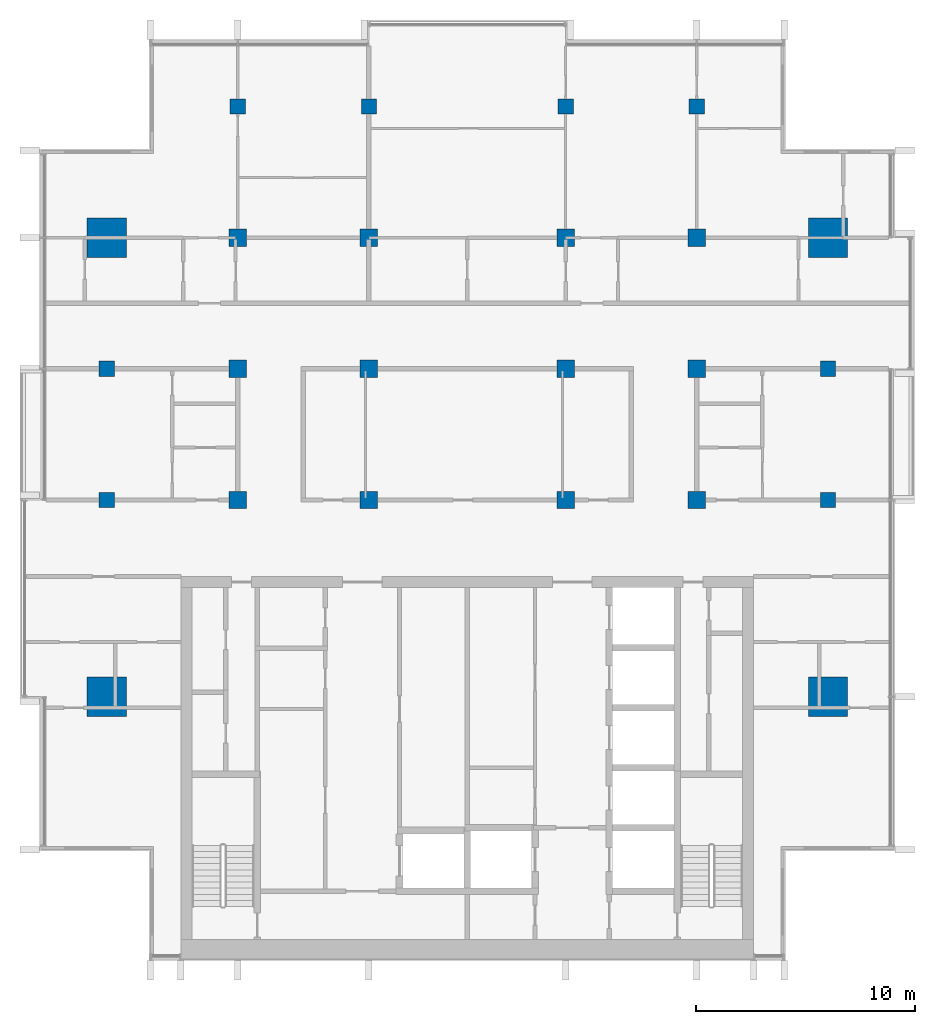
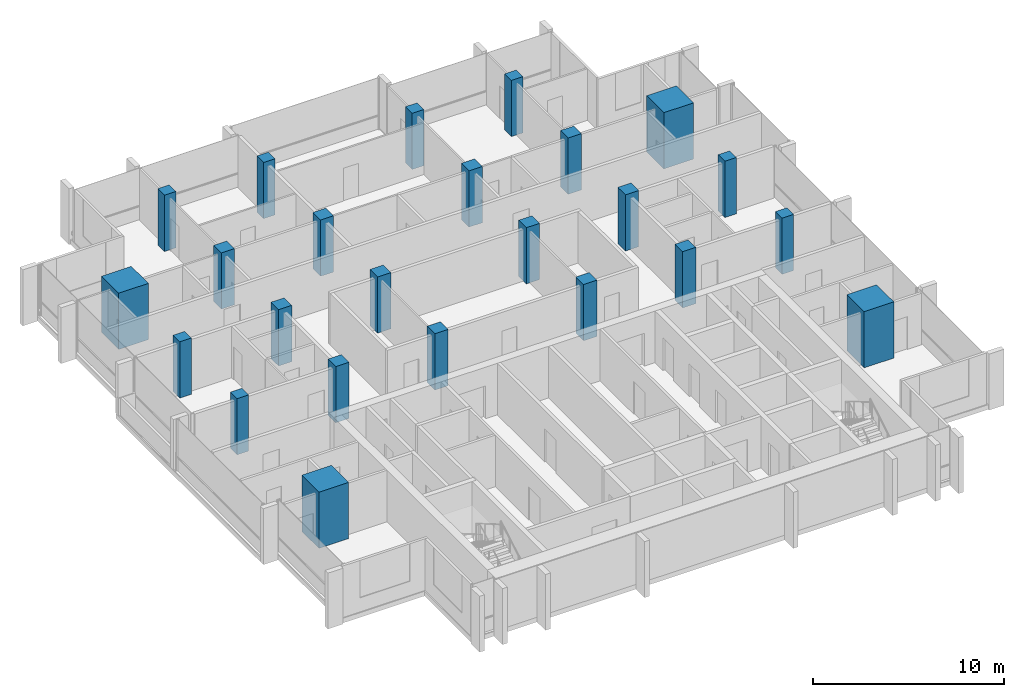
# One storey, part 1 of 16: 24 columns.
"""IFC4 building model written with IfcOpenShell, lengths in metres."""

from ifc_helpers import new_model, si_unit, direction, frame, origin, origin_2d, place, context, subcontext, project, spatial, rectangle, extrude, material, material_profile, profile_set, type_object, element, save


model = new_model("IFC4")

# Units and contexts
model_context = context("Model", 3, precision=1e-05, world=origin(), true_north=direction((0.0, 1.0)))
body_context = subcontext(model_context, "Body", "Model", "MODEL_VIEW")
ifc_project = project(units=[si_unit("LENGTHUNIT", "METRE"), si_unit("AREAUNIT", "SQUARE_METRE"), si_unit("VOLUMEUNIT", "CUBIC_METRE"), si_unit("PLANEANGLEUNIT", "RADIAN"), si_unit("MASSUNIT", "GRAM", prefix="KILO")], contexts=[model_context])

# Site, building, storey
site_placement = place(None, origin())
site = spatial("IfcSite", under=ifc_project, at=site_placement, CompositionType="ELEMENT")
building_placement = place(site_placement, origin())
building = spatial("IfcBuilding", under=site, at=building_placement, Name="Finial Court Residences", CompositionType="ELEMENT")
storey_placement = place(building_placement, frame((0.0, 0.0, 287.89990234375)))
storey = spatial("IfcBuildingStorey", under=building, at=storey_placement, Name="L73", CompositionType="ELEMENT", Elevation=287.89990234375)

# Columns
ifc_material = material(Name="Concrete C50/60", Category="concrete")
ifc_material_profile_1 = material_profile(ifc_material, rectangle(XDim=0.800048828125, YDim=0.800048828125, at=origin_2d()), Name="800x800")
ifc_profile_set_1 = profile_set([ifc_material_profile_1], Name="Concrete C50/60")
column_type_1 = type_object("IfcColumnType", Name="Interior column 800x800 Concrete C50/60", PredefinedType="COLUMN", material=ifc_profile_set_1)
for number, where, z_axis, x_axis, name in (
    (1, (-10.5, -4.5, 0.0), (0.0, 0.0, 1.0), (1.0, 0.0, 0.0), "S:COL:L73:D4"),
    (2, (-10.5, 1.5, 0.0), (0.0, 0.0, 1.0), (1.0, 0.0, 0.0), "S:COL:L73:D5"),
    (3, (-10.5, 7.5, 0.0), (0.0, 0.0, 1.0), (1.0, 0.0, 0.0), "S:COL:L73:D6"),
    (4, (-4.5, -4.5, 0.0), (0.0, 0.0, 1.0), (1.0, 0.0, 0.0), "S:COL:L73:E4"),
    (5, (-4.5, 1.5, 0.0), (0.0, 0.0, 1.0), (1.0, 0.0, 0.0), "S:COL:L73:E5"),
    (6, (-4.5, 7.5, 0.0), (0.0, 0.0, 1.0), (1.0, 0.0, 0.0), "S:COL:L73:E6"),
    (7, (4.5, -4.5, 0.0), (0.0, 0.0, 1.0), (1.0, 0.0, 0.0), "S:COL:L73:F4"),
    (8, (4.5, 1.5, 0.0), (0.0, 0.0, 1.0), (1.0, 0.0, 0.0), "S:COL:L73:F5"),
    (9, (4.5, 7.5, 0.0), (0.0, 0.0, 1.0), (1.0, 0.0, 0.0), "S:COL:L73:F6"),
    (10, (10.5, -4.5, 0.0), (0.0, 0.0, 1.0), (1.0, 0.0, 0.0), "S:COL:L73:G4"),
    (11, (10.5, 1.5, 0.0), (0.0, 0.0, 1.0), (1.0, 0.0, 0.0), "S:COL:L73:G5"),
    (12, (10.5, 7.5, 0.0), (0.0, 0.0, 1.0), (1.0, 0.0, 0.0), "S:COL:L73:G6"),
):
    element("IfcColumn", number, at=place(storey_placement, frame(where, z_axis=z_axis, x_axis=x_axis)), inside=storey, type_object=column_type_1, Name=name, PredefinedType="COLUMN", context=body_context, shape_type="SweptSolid", body=[
        extrude(rectangle(XDim=0.800048828125, YDim=0.800048828125, at=origin_2d()), origin(), (0.0, 0.0, 1.0), 3.60009765625),
    ])
ifc_material_profile_2 = material_profile(ifc_material, rectangle(XDim=1.800048828125, YDim=1.800048828125, at=origin_2d()), Name="1800x1800")
ifc_profile_set_2 = profile_set([ifc_material_profile_2], Name="Concrete C50/60")
column_type_2 = type_object("IfcColumnType", Name="Mega column 1800x1800 Concrete C50/60", PredefinedType="COLUMN", material=ifc_profile_set_2)
for number, where, z_axis, x_axis, name in (
    (13, (-16.5, -13.5, 0.0), (0.0, 0.0, 1.0), (1.0, 0.0, 0.0), "S:COL:L73:C3"),
    (14, (-16.5, 7.5, 0.0), (0.0, 0.0, 1.0), (1.0, 0.0, 0.0), "S:COL:L73:C6"),
    (15, (16.5, -13.5, 0.0), (0.0, 0.0, 1.0), (1.0, 0.0, 0.0), "S:COL:L73:H3"),
    (16, (16.5, 7.5, 0.0), (0.0, 0.0, 1.0), (1.0, 0.0, 0.0), "S:COL:L73:H6"),
):
    element("IfcColumn", number, at=place(storey_placement, frame(where, z_axis=z_axis, x_axis=x_axis)), inside=storey, type_object=column_type_2, Name=name, PredefinedType="COLUMN", context=body_context, shape_type="SweptSolid", body=[
        extrude(rectangle(XDim=1.800048828125, YDim=1.800048828125, at=origin_2d()), origin(), (0.0, 0.0, 1.0), 3.60009765625),
    ])
ifc_material_profile_3 = material_profile(ifc_material, rectangle(XDim=0.699951171875, YDim=0.699951171875, at=origin_2d()), Name="700x700")
ifc_profile_set_3 = profile_set([ifc_material_profile_3], Name="Concrete C50/60")
column_type_3 = type_object("IfcColumnType", Name="Perimeter column 700x700 Concrete C50/60", PredefinedType="COLUMN", material=ifc_profile_set_3)
for number, where, z_axis, x_axis, name in (
    (17, (-16.5, -4.5, 0.0), (0.0, 0.0, 1.0), (1.0, 0.0, 0.0), "S:COL:L73:C4"),
    (18, (-16.5, 1.5, 0.0), (0.0, 0.0, 1.0), (1.0, 0.0, 0.0), "S:COL:L73:C5"),
    (19, (-10.5, 13.5, 0.0), (0.0, 0.0, 1.0), (1.0, 0.0, 0.0), "S:COL:L73:D7"),
    (20, (-4.5, 13.5, 0.0), (0.0, 0.0, 1.0), (1.0, 0.0, 0.0), "S:COL:L73:E7"),
    (21, (4.5, 13.5, 0.0), (0.0, 0.0, 1.0), (1.0, 0.0, 0.0), "S:COL:L73:F7"),
    (22, (10.5, 13.5, 0.0), (0.0, 0.0, 1.0), (1.0, 0.0, 0.0), "S:COL:L73:G7"),
    (23, (16.5, -4.5, 0.0), (0.0, 0.0, 1.0), (1.0, 0.0, 0.0), "S:COL:L73:H4"),
    (24, (16.5, 1.5, 0.0), (0.0, 0.0, 1.0), (1.0, 0.0, 0.0), "S:COL:L73:H5"),
):
    element("IfcColumn", number, at=place(storey_placement, frame(where, z_axis=z_axis, x_axis=x_axis)), inside=storey, type_object=column_type_3, Name=name, PredefinedType="COLUMN", context=body_context, shape_type="SweptSolid", body=[
        extrude(rectangle(XDim=0.699951171875, YDim=0.699951171875, at=origin_2d()), origin(), (0.0, 0.0, 1.0), 3.60009765625),
    ])

save(model, "model.ifc")
